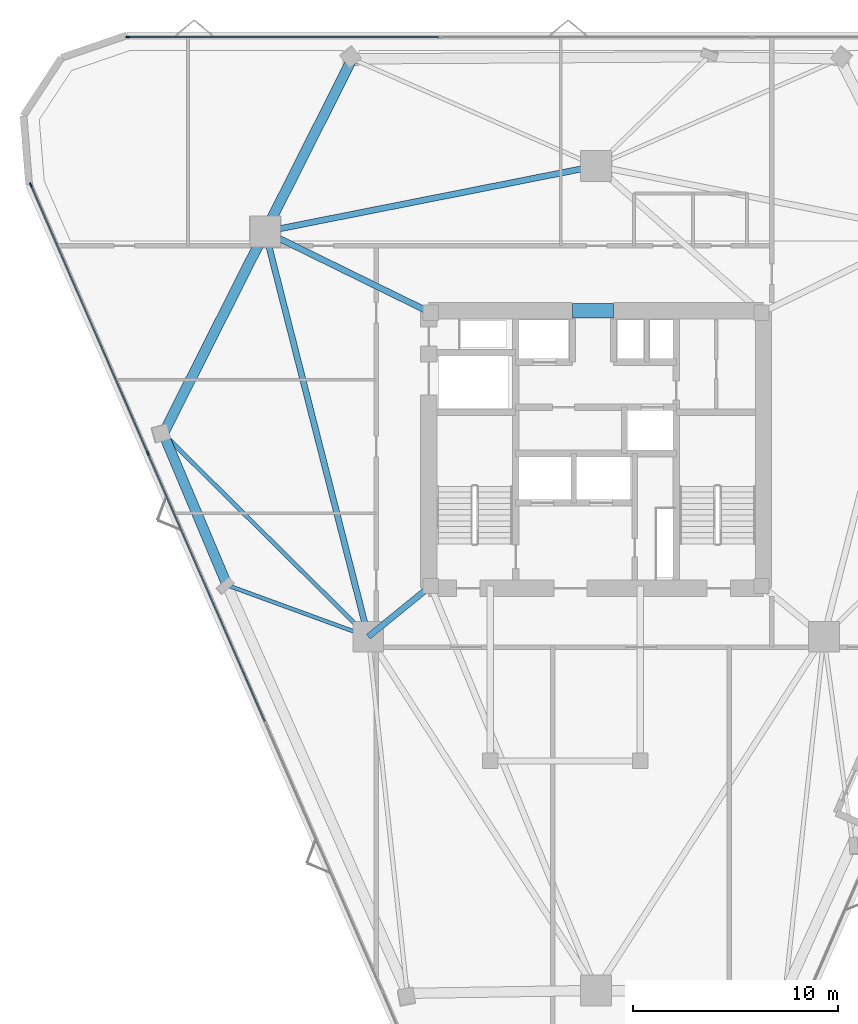
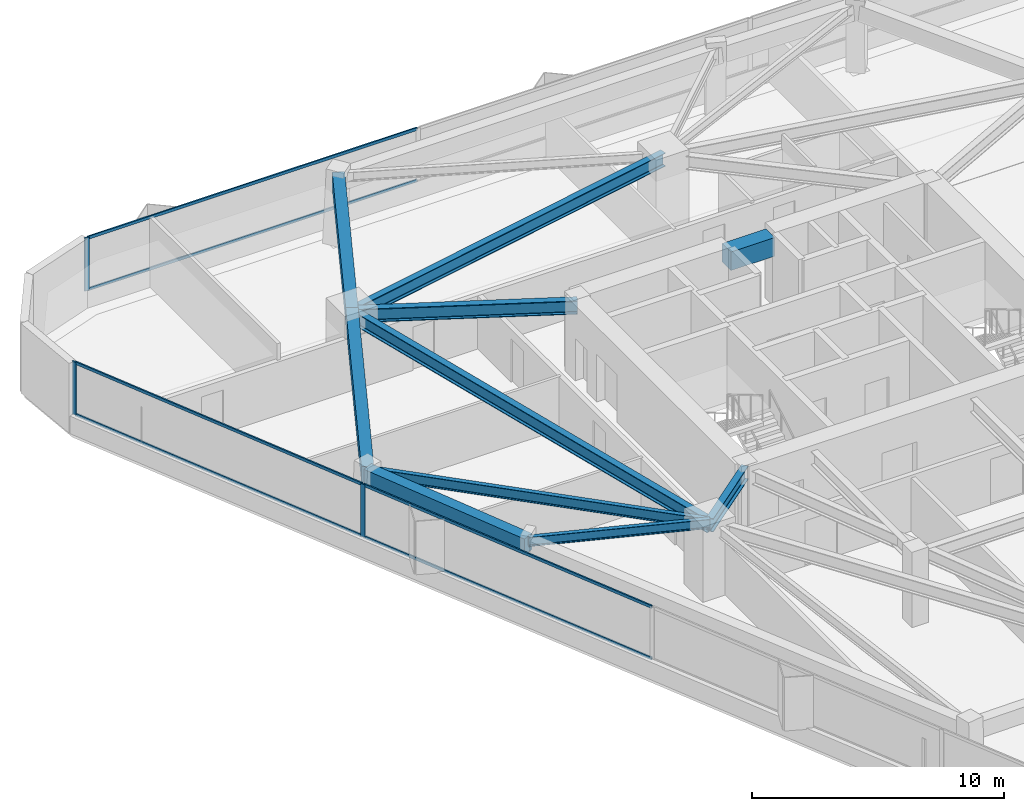
# One storey, part 4 of 12: 10 beams, 9 members, 2 elements without a shape of their own.
"""IFC4 building model written with IfcOpenShell, lengths in metres."""

from ifc_helpers import new_model, si_unit, direction, frame, origin, origin_2d, place, context, subcontext, project, spatial, rectangle, i_section, extrude, material, layer, layer_set, material_profile, profile_set, type_object, element, aggregate, save


model = new_model("IFC4")

# Units and contexts
model_context = context("Model", 3, precision=1e-05, world=origin(), true_north=direction((0.0, 1.0)))
body_context = subcontext(model_context, "Body", "Model", "MODEL_VIEW")
ifc_project = project(units=[si_unit("LENGTHUNIT", "METRE"), si_unit("AREAUNIT", "SQUARE_METRE"), si_unit("VOLUMEUNIT", "CUBIC_METRE"), si_unit("PLANEANGLEUNIT", "RADIAN"), si_unit("MASSUNIT", "GRAM", prefix="KILO")], contexts=[model_context])

# Site, building, storey
site_placement = place(None, origin())
site = spatial("IfcSite", under=ifc_project, at=site_placement, CompositionType="ELEMENT")
building_placement = place(site_placement, origin())
building = spatial("IfcBuilding", under=site, at=building_placement, Name="Talyreon Biosciences Tower", CompositionType="ELEMENT")
storey_placement = place(building_placement, frame((0.0, 0.0, 156.39990234375)))
storey = spatial("IfcBuildingStorey", under=building, at=storey_placement, Name="L41", CompositionType="ELEMENT", Elevation=156.39990234375)

# Curtain wall, member
ifc_material_1 = material(Name="Thermally broken aluminium and low-E glazing", Category="aluminium")
ifc_layer = layer(ifc_material_1, 0.205078125)
ifc_layer_set = layer_set([ifc_layer], Name="Thermally broken aluminium and low-E glazing")
curtain_wall_type = type_object("IfcCurtainWallType", Name="CurtainWall_SkyGardenLoggia", PredefinedType="NOTDEFINED", material=ifc_layer_set)
curtain_wall_1_placement = place(storey_placement, origin())
curtain_wall_1 = element("IfcCurtainWall", 1, at=curtain_wall_1_placement, inside=storey, type_object=curtain_wall_type, Name="L41 Unitised Curtain Wall FCW-L41-03", PredefinedType="NOTDEFINED")
ifc_material_2 = material(Name="Anodised thermally broken aluminium", Category="aluminium")
ifc_material_profile_1 = material_profile(ifc_material_2, rectangle(XDim=0.074951171875, YDim=0.2099609375, at=origin_2d()), Name="ALUM MULLION 75x210")
ifc_profile_set_1 = profile_set([ifc_material_profile_1], Name="Anodised thermally broken aluminium")
member_type_1 = type_object("IfcMemberType", Name="CWMullion_75x210", PredefinedType="MULLION", material=ifc_profile_set_1)
member_1_placement = place(storey_placement, frame((43.210693359375, 88.072509765625, 0.81005859375), z_axis=(0.0, 0.0, 1.0), x_axis=(0.0, 1.0, 0.0)))
member_1 = element("IfcMember", 2, at=member_1_placement, type_object=member_type_1, Name="CW7 mullion 1", PredefinedType="MULLION", context=body_context, shape_type="SweptSolid", body=[
    extrude(rectangle(XDim=0.074951171875, YDim=0.2099609375, at=origin_2d()), origin(), (0.0, 0.0, 1.0), 2.56494140625),
])

# Curtain wall, members
curtain_wall_2_placement = place(storey_placement, origin())
curtain_wall_2 = element("IfcCurtainWall", 3, at=curtain_wall_2_placement, inside=storey, type_object=curtain_wall_type, Name="L41 Unitised Curtain Wall FCW-L41-15", PredefinedType="NOTDEFINED")
member_2_placement = place(storey_placement, frame((44.18603515625, 67.81201171875, 0.81005859375), z_axis=(0.0, 0.0, 1.0), x_axis=(-0.916731187474, -0.399504605621, 0.0)))
member_2 = element("IfcMember", 4, at=member_2_placement, type_object=member_type_1, Name="CW7 mullion 4", PredefinedType="MULLION", context=body_context, shape_type="SweptSolid", body=[
    extrude(rectangle(XDim=0.074951171875, YDim=0.2099609375, at=origin_2d()), origin(), (0.0, 0.0, 1.0), 2.56494140625),
])
member_3_placement = place(storey_placement, frame((38.494384765625, 80.872802734375, 0.81005859375), z_axis=(0.0, 0.0, 1.0), x_axis=(-0.916731187474, -0.399504605621, 0.0)))
member_3 = element("IfcMember", 5, at=member_3_placement, type_object=member_type_1, Name="CW7 mullion 5", PredefinedType="MULLION", context=body_context, shape_type="SweptSolid", body=[
    extrude(rectangle(XDim=0.074951171875, YDim=0.2099609375, at=origin_2d()), origin(), (0.0, 0.0, 1.0), 2.56494140625),
])

# Member
ifc_material_profile_2 = material_profile(ifc_material_2, rectangle(XDim=0.06494140625, YDim=0.139892578125, at=origin_2d()), Name="ALUM TRANSOM 65x140")
ifc_profile_set_2 = profile_set([ifc_material_profile_2], Name="Anodised thermally broken aluminium")
member_type_2 = type_object("IfcMemberType", Name="CWTransom_65x140", PredefinedType="USERDEFINED", material=ifc_profile_set_2)
member_4_placement = place(storey_placement, frame((43.248046875, 88.072509765625, 0.842529296875), z_axis=(1.0, 0.0, 0.0), x_axis=(0.0, 1.0, 0.0)))
member_4 = element("IfcMember", 6, at=member_4_placement, type_object=member_type_2, Name="CW7 transom 1.1", ObjectType="TRANSOM", PredefinedType="USERDEFINED", context=body_context, shape_type="SweptSolid", body=[
    extrude(rectangle(XDim=0.06494140625, YDim=0.139892578125, at=origin_2d()), origin(), (0.0, 0.0, 1.0), 15.10546875),
])

member_5_placement = place(storey_placement, frame((43.248046875, 88.072509765625, 3.342529296875), z_axis=(1.0, 0.0, 0.0), x_axis=(0.0, 1.0, 0.0)))
member_5 = element("IfcMember", 7, at=member_5_placement, type_object=member_type_2, Name="CW7 transom 1.2", ObjectType="TRANSOM", PredefinedType="USERDEFINED", context=body_context, shape_type="SweptSolid", body=[
    extrude(rectangle(XDim=0.06494140625, YDim=0.139892578125, at=origin_2d()), origin(), (0.0, 0.0, 1.0), 15.10546875),
])

aggregate(curtain_wall_1, [member_1, member_4, member_5])

member_6_placement = place(storey_placement, frame((49.8779296875, 54.75146484375, 0.842529296875), z_axis=(-0.399508784958, 0.916729366139, 0.0), x_axis=(-0.916729366139, -0.399508784958, 0.0)))
member_6 = element("IfcMember", 8, at=member_6_placement, type_object=member_type_2, Name="CW7 transom 3.1", ObjectType="TRANSOM", PredefinedType="USERDEFINED", context=body_context, shape_type="SweptSolid", body=[
    extrude(rectangle(XDim=0.06494140625, YDim=0.139892578125, at=origin_2d()), origin(), (0.0, 0.0, 1.0), 14.209228515625),
])

member_7_placement = place(storey_placement, frame((49.8779296875, 54.75146484375, 3.342529296875), z_axis=(-0.399508784958, 0.916729366139, 0.0), x_axis=(-0.916729366139, -0.399508784958, 0.0)))
member_7 = element("IfcMember", 9, at=member_7_placement, type_object=member_type_2, Name="CW7 transom 3.2", ObjectType="TRANSOM", PredefinedType="USERDEFINED", context=body_context, shape_type="SweptSolid", body=[
    extrude(rectangle(XDim=0.06494140625, YDim=0.139892578125, at=origin_2d()), origin(), (0.0, 0.0, 1.0), 14.209228515625),
])

member_8_placement = place(storey_placement, frame((44.171142578125, 67.846435546875, 0.842529296875), z_axis=(-0.399508954546, 0.916729292233, 0.0), x_axis=(-0.916729292233, -0.399508954546, 0.0)))
member_8 = element("IfcMember", 10, at=member_8_placement, type_object=member_type_2, Name="CW7 transom 4.1", ObjectType="TRANSOM", PredefinedType="USERDEFINED", context=body_context, shape_type="SweptSolid", body=[
    extrude(rectangle(XDim=0.06494140625, YDim=0.139892578125, at=origin_2d()), origin(), (0.0, 0.0, 1.0), 14.172119140625),
])

member_9_placement = place(storey_placement, frame((44.171142578125, 67.846435546875, 3.342529296875), z_axis=(-0.399508954546, 0.916729292233, 0.0), x_axis=(-0.916729292233, -0.399508954546, 0.0)))
member_9 = element("IfcMember", 11, at=member_9_placement, type_object=member_type_2, Name="CW7 transom 4.2", ObjectType="TRANSOM", PredefinedType="USERDEFINED", context=body_context, shape_type="SweptSolid", body=[
    extrude(rectangle(XDim=0.06494140625, YDim=0.139892578125, at=origin_2d()), origin(), (0.0, 0.0, 1.0), 14.172119140625),
])

aggregate(curtain_wall_2, [member_2, member_3, member_6, member_7, member_8, member_9])

# Beams
ifc_material_3 = material(Name="Concrete C60/75", Category="concrete")
ifc_material_profile_3 = material_profile(ifc_material_3, rectangle(XDim=0.699951171875, YDim=0.89990234375, at=origin_2d()), Name="RCB 700x900")
ifc_profile_set_3 = profile_set([ifc_material_profile_3], Name="Concrete C60/75")
beam_type_1 = type_object("IfcBeamType", Name="CoreCouplingLintel_700x900", PredefinedType="LINTEL", material=ifc_profile_set_3)
beam_1_placement = place(storey_placement, frame((64.85009765625, 74.75, 2.925048828125), z_axis=(1.0, 0.0, 0.0), x_axis=(0.0, 1.0, 0.0)))
element("IfcBeam", 12, at=beam_1_placement, inside=storey, type_object=beam_type_1, Name="L41 Core Coupling Lintel", PredefinedType="LINTEL", context=body_context, shape_type="SweptSolid", body=[
    extrude(rectangle(XDim=0.699951171875, YDim=0.89990234375, at=origin_2d()), origin(), (0.0, 0.0, 1.0), 2.0),
])
ifc_material_4 = material(Name="Precast concrete C45/55", Category="concrete")
ifc_material_profile_4 = material_profile(ifc_material_4, rectangle(XDim=0.5, YDim=0.780029296875, at=origin_2d()), Name="RCB 500x780")
ifc_profile_set_4 = profile_set([ifc_material_profile_4], Name="Precast concrete C45/55")
beam_type_2 = type_object("IfcBeamType", Name="ExpressedSpandrel_500x780", PredefinedType="SPANDREL", material=ifc_profile_set_4)
beam_2_placement = place(storey_placement, frame((54.1298828125, 87.00244140625, 2.985107421875), z_axis=(-0.449785654154, -0.893136532293, 0.0), x_axis=(0.893136532293, -0.449785654154, 0.0)))
element("IfcBeam", 13, at=beam_2_placement, inside=storey, type_object=beam_type_2, Name="L41 Expressed Horizontal Concrete Spandrel 08", PredefinedType="SPANDREL", context=body_context, shape_type="SweptSolid", body=[
    extrude(rectangle(XDim=0.5, YDim=0.780029296875, at=origin_2d()), origin(), (0.0, 0.0, 1.0), 9.409423828125),
])
beam_3_placement = place(storey_placement, frame((49.897705078125, 78.5986328125, 2.985107421875), z_axis=(-0.450207742015, -0.892923842794, 0.0), x_axis=(0.892923842794, -0.450207742015, 0.0)))
element("IfcBeam", 14, at=beam_3_placement, inside=storey, type_object=beam_type_2, Name="L41 Expressed Horizontal Concrete Spandrel 09", PredefinedType="SPANDREL", context=body_context, shape_type="SweptSolid", body=[
    extrude(rectangle(XDim=0.5, YDim=0.780029296875, at=origin_2d()), origin(), (0.0, 0.0, 1.0), 11.014892578125),
])
beam_4_placement = place(storey_placement, frame((44.938720703125, 68.76318359375, 2.985107421875), z_axis=(0.388036534942, -0.921643991762, 0.0), x_axis=(0.921643991762, 0.388036534942, 0.0)))
element("IfcBeam", 15, at=beam_4_placement, inside=storey, type_object=beam_type_2, Name="L41 Expressed Horizontal Concrete Spandrel 10", PredefinedType="SPANDREL", context=body_context, shape_type="SweptSolid", body=[
    extrude(rectangle(XDim=0.5, YDim=0.780029296875, at=origin_2d()), origin(), (0.0, 0.0, 1.0), 8.0),
])
ifc_material_5 = material(Name="Steel SM355", Category="steel")
ifc_material_profile_5 = material_profile(ifc_material_5, i_section(OverallWidth=0.300048828125, OverallDepth=0.64990234375, WebThickness=0.01611328125, FlangeThickness=0.031005859375, FilletRadius=0.027099609375, at=origin_2d()), Name="HE650B")
ifc_profile_set_5 = profile_set([ifc_material_profile_5], Name="Steel SM355")
beam_type_3 = type_object("IfcBeamType", Name="SteelBeam_HE650B", PredefinedType="BEAM", material=ifc_profile_set_5)
beam_5_placement = place(storey_placement, frame((66.0, 81.788818359375, 3.050048828125), z_axis=(-0.980933730698, -0.194342522311, 0.0), x_axis=(0.194342522311, -0.980933730698, 0.0)))
element("IfcBeam", 16, at=beam_5_placement, inside=storey, type_object=beam_type_3, Name="L41 Mega-Ring Girder 4", PredefinedType="BEAM", context=body_context, shape_type="SweptSolid", body=[
    extrude(i_section(OverallWidth=0.300048828125, OverallDepth=0.64990234375, WebThickness=0.01611328125, FlangeThickness=0.031005859375, FilletRadius=0.027099609375, at=origin_2d()), origin(), (0.0, 0.0, 1.0), 16.415283203125),
])
beam_6_placement = place(storey_placement, frame((49.897705078125, 78.5986328125, 3.050048828125), z_axis=(0.246537082299, -0.969133358755, 0.0), x_axis=(0.969133358755, 0.246537082299, 0.0)))
element("IfcBeam", 17, at=beam_6_placement, inside=storey, type_object=beam_type_3, Name="L41 Mega-Ring Girder 5", PredefinedType="BEAM", context=body_context, shape_type="SweptSolid", body=[
    extrude(i_section(OverallWidth=0.300048828125, OverallDepth=0.64990234375, WebThickness=0.01611328125, FlangeThickness=0.031005859375, FilletRadius=0.027099609375, at=origin_2d()), origin(), (0.0, 0.0, 1.0), 20.34619140625),
])
beam_7_placement = place(storey_placement, frame((57.949951171875, 74.64990234375, 3.050048828125), z_axis=(-0.897852360314, 0.440296648952, 0.0), x_axis=(-0.440296648952, -0.897852360314, 0.0)))
element("IfcBeam", 18, at=beam_7_placement, inside=storey, type_object=beam_type_3, Name="L41 Radial Primary Girder 5", PredefinedType="BEAM", context=body_context, shape_type="SweptSolid", body=[
    extrude(i_section(OverallWidth=0.300048828125, OverallDepth=0.64990234375, WebThickness=0.01611328125, FlangeThickness=0.031005859375, FilletRadius=0.027099609375, at=origin_2d()), origin(), (0.0, 0.0, 1.0), 8.96826171875),
])
beam_8_placement = place(storey_placement, frame((57.949951171875, 61.35009765625, 3.050048828125), z_axis=(-0.775755154013, -0.631034025249, 0.0), x_axis=(0.631034025249, -0.775755154013, 0.0)))
element("IfcBeam", 19, at=beam_8_placement, inside=storey, type_object=beam_type_3, Name="L41 Radial Primary Girder 6", PredefinedType="BEAM", context=body_context, shape_type="SweptSolid", body=[
    extrude(i_section(OverallWidth=0.300048828125, OverallDepth=0.64990234375, WebThickness=0.01611328125, FlangeThickness=0.031005859375, FilletRadius=0.027099609375, at=origin_2d()), origin(), (0.0, 0.0, 1.0), 3.913818359375),
])
ifc_material_profile_6 = material_profile(ifc_material_5, i_section(OverallWidth=0.18994140625, OverallDepth=0.449951171875, WebThickness=0.009521484375, FlangeThickness=0.0146484375, FilletRadius=0.02099609375, at=origin_2d()), Name="IPE450")
ifc_profile_set_6 = profile_set([ifc_material_profile_6], Name="Steel SM355")
beam_type_4 = type_object("IfcBeamType", Name="SteelJoist_IPE450", PredefinedType="JOIST", material=ifc_profile_set_6)
beam_9_placement = place(storey_placement, frame((54.913818359375, 58.88037109375, 3.150146484375), z_axis=(-0.939297402537, 0.343104050673, 0.0), x_axis=(-0.343104050673, -0.939297402537, 0.0)))
element("IfcBeam", 20, at=beam_9_placement, inside=storey, type_object=beam_type_4, Name="L41 Radial Composite Floor Joist PL-SW", PredefinedType="JOIST", context=body_context, shape_type="SweptSolid", body=[
    extrude(i_section(OverallWidth=0.18994140625, OverallDepth=0.449951171875, WebThickness=0.009521484375, FlangeThickness=0.0146484375, FilletRadius=0.02099609375, at=origin_2d()), origin(), (0.0, 0.0, 1.0), 7.31494140625),
])
ifc_material_profile_7 = material_profile(ifc_material_5, i_section(OverallWidth=0.199951171875, OverallDepth=0.5, WebThickness=0.01025390625, FlangeThickness=0.01611328125, FilletRadius=0.02099609375, at=origin_2d()), Name="IPE500")
ifc_profile_set_7 = profile_set([ifc_material_profile_7], Name="Steel SM355")
beam_type_5 = type_object("IfcBeamType", Name="SteelJoist_IPE500", PredefinedType="JOIST", material=ifc_profile_set_7)
beam_10_placement = place(storey_placement, frame((54.913818359375, 58.88037109375, 3.125), z_axis=(-0.710385229274, 0.703813061849, 0.0), x_axis=(-0.703813061849, -0.710385229274, 0.0)))
element("IfcBeam", 21, at=beam_10_placement, inside=storey, type_object=beam_type_5, Name="L41 Radial Composite Floor Joist PC-SW1", PredefinedType="JOIST", context=body_context, shape_type="SweptSolid", body=[
    extrude(i_section(OverallWidth=0.199951171875, OverallDepth=0.5, WebThickness=0.01025390625, FlangeThickness=0.01611328125, FilletRadius=0.02099609375, at=origin_2d()), origin(), (0.0, 0.0, 1.0), 14.041748046875),
])

save(model, "model.ifc")
